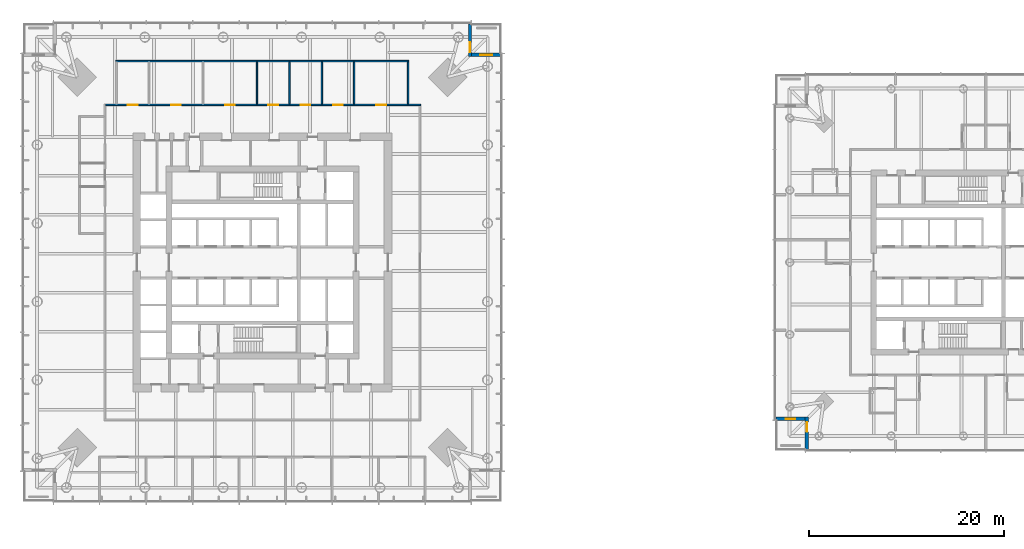
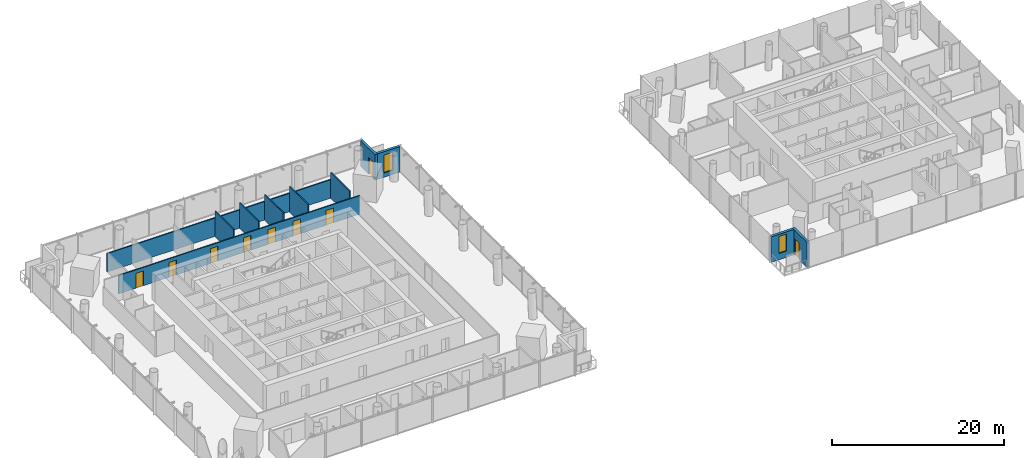
# One storey, part 13 of 21: 11 walls, 9 doors, 2 windows, 11 openings.
"""IFC4 building model written with IfcOpenShell, lengths in metres."""

from ifc_helpers import new_model, si_unit, direction, frame, frame_2d, origin, place, context, subcontext, project, spatial, rectangle, extrude, material, layer, layer_set, type_object, element, fill, save


model = new_model("IFC4")

# Units and contexts
model_context = context("Model", 3, precision=1e-05, world=origin(), true_north=direction((0.0, 1.0)))
body_context = subcontext(model_context, "Body", "Model", "MODEL_VIEW")
ifc_project = project(units=[si_unit("LENGTHUNIT", "METRE"), si_unit("AREAUNIT", "SQUARE_METRE"), si_unit("VOLUMEUNIT", "CUBIC_METRE"), si_unit("PLANEANGLEUNIT", "RADIAN"), si_unit("MASSUNIT", "GRAM", prefix="KILO")], contexts=[model_context])

# Site, building, storey
site_placement = place(None, origin())
site = spatial("IfcSite", under=ifc_project, at=site_placement, CompositionType="ELEMENT")
building_placement = place(site_placement, origin())
building = spatial("IfcBuilding", under=site, at=building_placement, Name="Ostroluk Exchange", CompositionType="ELEMENT")
storey_placement = place(building_placement, frame((0.0, 0.0, 47.60009765625)))
storey = spatial("IfcBuildingStorey", under=building, at=storey_placement, Name="L11", CompositionType="ELEMENT", Elevation=47.60009765625)

# Wall, opening, door
ifc_material_1 = material(Name="Limestone", Category="masonry")
ifc_layer_1 = layer(ifc_material_1, 0.35009765625)
ifc_layer_set_1 = layer_set([ifc_layer_1], Name="Limestone facade wall 350")
wall_type_1 = type_object("IfcWallType", Name="Limestone facade wall 350", PredefinedType="SOLIDWALL", material=ifc_layer_set_1)
wall_1_placement = place(storey_placement, frame((66.324951171875, 70.5, 0.0), z_axis=(0.0, 0.0, 1.0), x_axis=(0.0, -1.0, 0.0)))
wall_1 = element("IfcWall", 1, at=wall_1_placement, inside=storey, type_object=wall_type_1, Name="Office tower NE corner wall L11 a", PredefinedType="SOLIDWALL", context=body_context, shape_type="SweptSolid", body=[
    extrude(rectangle(XDim=3.35009765625, YDim=0.35009765625, at=frame_2d((1.675048828125, 0.0))), origin(), (0.0, 0.0, 1.0), 3.619873046875),
])
opening_1_placement = place(wall_1_placement, frame((1.89990234375, 0.0, 0.0)))
opening_1 = element("IfcOpeningElement", 2, at=opening_1_placement, cuts=wall_1, Name="Opening D-B1", PredefinedType="OPENING", context=body_context, shape_type="SweptSolid", body=[
    extrude(rectangle(XDim=1.0, YDim=2.39990234375, at=frame_2d((0.5, 1.199951171875))), frame((0.0, 0.18505859375, 0.0), z_axis=(0.0, -1.0, 0.0), x_axis=(1.0, 0.0, 0.0)), (0.0, 0.0, 1.0), 0.3701171875),
])
ifc_material_2 = material(Name="Bronze framed glazed door", Category="aluminium")
door_type_1 = type_object("IfcDoorType", Name="Balcony door 1000 x 2400", OperationType="SINGLE_SWING_LEFT", PredefinedType="DOOR", material=ifc_material_2)
door_1_placement = place(opening_1_placement, origin())
door_1 = element("IfcDoor", 3, at=door_1_placement, inside=storey, type_object=door_type_1, Name="Office tower NE balcony door L11", OperationType="SINGLE_SWING_RIGHT", OverallHeight=2.39990234375, OverallWidth=1.0, PredefinedType="DOOR", context=body_context, shape_type="SweptSolid", body=[
    extrude(rectangle(XDim=1.0, YDim=2.39990234375, at=frame_2d((0.5, 1.199951171875))), frame((0.0, 0.02490234375, 0.0), z_axis=(0.0, -1.0, 0.0), x_axis=(1.0, 0.0, 0.0)), (0.0, 0.0, 1.0), 0.050048828125),
])
fill(opening_1, door_1)

# Wall, opening, window
wall_2_placement = place(storey_placement, frame((66.5, 67.324951171875, 0.0), z_axis=(0.0, 0.0, 1.0), x_axis=(1.0, 0.0, 0.0)))
wall_2 = element("IfcWall", 4, at=wall_2_placement, inside=storey, type_object=wall_type_1, Name="Office tower NE corner wall L11 b", PredefinedType="SOLIDWALL", context=body_context, shape_type="SweptSolid", body=[
    extrude(rectangle(XDim=3.0, YDim=0.35009765625, at=frame_2d((1.5, 0.0))), origin(), (0.0, 0.0, 1.0), 3.619873046875),
])
opening_2_placement = place(wall_2_placement, frame((0.89990234375, 0.0, 0.60009765625)))
opening_2 = element("IfcOpeningElement", 5, at=opening_2_placement, cuts=wall_2, Name="Opening WN-L1", PredefinedType="OPENING", context=body_context, shape_type="SweptSolid", body=[
    extrude(rectangle(XDim=1.199951171875, YDim=2.550048828125, at=frame_2d((0.60009765625, 1.27490234375))), frame((0.0, 0.18505859375, 0.0), z_axis=(0.0, -1.0, 0.0), x_axis=(1.0, 0.0, 0.0)), (0.0, 0.0, 1.0), 0.3701171875),
])
ifc_material_3 = material(Name="Laminated clear glass", Category="glass")
window_type_1 = type_object("IfcWindowType", Name="Lancet window 1200 x 2550", PartitioningType="SINGLE_PANEL", PredefinedType="WINDOW", material=ifc_material_3)
window_1_placement = place(opening_2_placement, origin())
window_1 = element("IfcWindow", 6, at=window_1_placement, inside=storey, type_object=window_type_1, Name="Office tower NE lancet window L11", OverallHeight=2.550048828125, OverallWidth=1.199951171875, PartitioningType="SINGLE_PANEL", PredefinedType="WINDOW", context=body_context, shape_type="SweptSolid", body=[
    extrude(rectangle(XDim=1.199951171875, YDim=2.550048828125, at=frame_2d((0.60009765625, 1.27490234375))), frame((0.0, 0.030029296875, 0.0), z_axis=(0.0, -1.0, 0.0), x_axis=(1.0, 0.0, 0.0)), (0.0, 0.0, 1.0), 0.06005859375),
])
fill(opening_2, window_1)

# Wall, opening, door
wall_3_placement = place(storey_placement, frame((100.925048828125, 26.75, 0.0), z_axis=(0.0, 0.0, 1.0), x_axis=(0.0, 1.0, 0.0)))
wall_3 = element("IfcWall", 7, at=wall_3_placement, inside=storey, type_object=wall_type_1, Name="Hotel tower SW corner wall L11 a", PredefinedType="SOLIDWALL", context=body_context, shape_type="SweptSolid", body=[
    extrude(rectangle(XDim=3.35009765625, YDim=0.35009765625, at=frame_2d((1.675048828125, 0.0))), origin(), (0.0, 0.0, 1.0), 3.599853515625),
])
opening_3_placement = place(wall_3_placement, frame((1.85009765625, 0.0, 0.0)))
opening_3 = element("IfcOpeningElement", 8, at=opening_3_placement, cuts=wall_3, Name="Opening D-B1", PredefinedType="OPENING", context=body_context, shape_type="SweptSolid", body=[
    extrude(rectangle(XDim=1.0, YDim=2.39990234375, at=frame_2d((0.5, 1.199951171875))), frame((0.0, 0.18505859375, 0.0), z_axis=(0.0, -1.0, 0.0), x_axis=(1.0, 0.0, 0.0)), (0.0, 0.0, 1.0), 0.3701171875),
])
door_2_placement = place(opening_3_placement, origin())
door_2 = element("IfcDoor", 9, at=door_2_placement, inside=storey, type_object=door_type_1, Name="Hotel tower SW balcony door L11", OperationType="SINGLE_SWING_RIGHT", OverallHeight=2.39990234375, OverallWidth=1.0, PredefinedType="DOOR", context=body_context, shape_type="SweptSolid", body=[
    extrude(rectangle(XDim=1.0, YDim=2.39990234375, at=frame_2d((0.5, 1.199951171875))), frame((0.0, 0.02490234375, 0.0), z_axis=(0.0, -1.0, 0.0), x_axis=(1.0, 0.0, 0.0)), (0.0, 0.0, 1.0), 0.050048828125),
])
fill(opening_3, door_2)

# Wall, opening, window
wall_4_placement = place(storey_placement, frame((100.75, 29.925048828125, 0.0), z_axis=(0.0, 0.0, 1.0), x_axis=(-1.0, 0.0, 0.0)))
wall_4 = element("IfcWall", 10, at=wall_4_placement, inside=storey, type_object=wall_type_1, Name="Hotel tower SW corner wall L11 b", PredefinedType="SOLIDWALL", context=body_context, shape_type="SweptSolid", body=[
    extrude(rectangle(XDim=3.0, YDim=0.35009765625, at=frame_2d((1.5, 0.0))), origin(), (0.0, 0.0, 1.0), 3.599853515625),
])
opening_4_placement = place(wall_4_placement, frame((1.0, 0.0, 0.89990234375)))
opening_4 = element("IfcOpeningElement", 11, at=opening_4_placement, cuts=wall_4, Name="Opening WN-L3", PredefinedType="OPENING", context=body_context, shape_type="SweptSolid", body=[
    extrude(rectangle(XDim=1.0, YDim=2.39990234375, at=frame_2d((0.5, 1.199951171875))), frame((0.0, 0.18505859375, 0.0), z_axis=(0.0, -1.0, 0.0), x_axis=(1.0, 0.0, 0.0)), (0.0, 0.0, 1.0), 0.3701171875),
])
ifc_material_4 = material(Name="Laminated clear glass", Category="glass")
window_type_2 = type_object("IfcWindowType", Name="Hotel lancet window 1000 x 2400", PartitioningType="SINGLE_PANEL", PredefinedType="WINDOW", material=ifc_material_4)
window_2_placement = place(opening_4_placement, origin())
window_2 = element("IfcWindow", 12, at=window_2_placement, inside=storey, type_object=window_type_2, Name="Hotel tower SW lancet window L11", OverallHeight=2.39990234375, OverallWidth=1.0, PartitioningType="SINGLE_PANEL", PredefinedType="WINDOW", context=body_context, shape_type="SweptSolid", body=[
    extrude(rectangle(XDim=1.0, YDim=2.39990234375, at=frame_2d((0.5, 1.199951171875))), frame((0.0, 0.030029296875, 0.0), z_axis=(0.0, -1.0, 0.0), x_axis=(1.0, 0.0, 0.0)), (0.0, 0.0, 1.0), 0.06005859375),
])
fill(opening_4, window_2)

# Walls
ifc_material_5 = material(Name="Gypsum plasterboard partition", Category="gypsum")
ifc_layer_2 = layer(ifc_material_5, 0.14990234375)
ifc_layer_set_2 = layer_set([ifc_layer_2], Name="Plasterboard partition 150")
wall_type_2 = type_object("IfcWallType", Name="Plasterboard partition 150", PredefinedType="PARTITIONING", material=ifc_layer_set_2)
for number, where, z_axis, x_axis, name in (
    (13, (59.97509765625, 62.25, 0.0), (0.0, 0.0, 1.0), (0.0, 1.0, 0.0), "Partition"),
    (14, (54.4287109375, 62.25, 0.0), (0.0, 0.0, 1.0), (0.0, 1.0, 0.0), "Partition"),
    (15, (51.100830078125, 62.25, 0.0), (0.0, 0.0, 1.0), (0.0, 1.0, 0.0), "Partition"),
    (16, (47.773193359375, 62.25, 0.0), (0.0, 0.0, 1.0), (0.0, 1.0, 0.0), "Partition"),
    (17, (44.4453125, 62.25, 0.0), (0.0, 0.0, 1.0), (0.0, 1.0, 0.0), "Partition"),
):
    element("IfcWall", number, at=place(storey_placement, frame(where, z_axis=z_axis, x_axis=x_axis)), inside=storey, type_object=wall_type_2, Name=name, PredefinedType="PARTITIONING", context=body_context, shape_type="SweptSolid", body=[
        extrude(rectangle(XDim=4.35009765625, YDim=0.14990234375, at=frame_2d((2.175048828125, 0.0))), origin(), (0.0, 0.0, 1.0), 3.619873046875),
    ])
wall_5_placement = place(storey_placement, frame((60.050048828125, 66.675048828125, 0.0), z_axis=(0.0, 0.0, 1.0), x_axis=(-1.0, 0.0, 0.0)))
element("IfcWall", 18, at=wall_5_placement, inside=storey, type_object=wall_type_2, Name="Partition", PredefinedType="PARTITIONING", context=body_context, shape_type="SweptSolid", body=[
    extrude(rectangle(XDim=30.10009765625, YDim=0.14990234375, at=frame_2d((15.050048828125, 0.0))), origin(), (0.0, 0.0, 1.0), 2.61181640625),
])

# Wall, openings, doors
wall_6_placement = place(storey_placement, frame((61.25, 62.175048828125, 0.0), z_axis=(0.0, 0.0, 1.0), x_axis=(-1.0, 0.0, 0.0)))
wall_6 = element("IfcWall", 19, at=wall_6_placement, inside=storey, type_object=wall_type_2, Name="Corridor wall", PredefinedType="PARTITIONING", context=body_context, shape_type="SweptSolid", body=[
    extrude(rectangle(XDim=32.35009765625, YDim=0.14990234375, at=frame_2d((16.175048828125, 0.0))), origin(), (0.0, 0.0, 1.0), 2.61181640625),
])
opening_5_placement = place(wall_6_placement, frame((3.548095703125, 0.0, 0.0)))
opening_5 = element("IfcOpeningElement", 20, at=opening_5_placement, cuts=wall_6, Name="Opening D-03", PredefinedType="OPENING", context=body_context, shape_type="SweptSolid", body=[
    extrude(rectangle(XDim=1.0, YDim=2.10009765625, at=frame_2d((0.5, 1.050048828125))), frame((0.0, 0.0849609375, 0.0), z_axis=(0.0, -1.0, 0.0), x_axis=(1.0, 0.0, 0.0)), (0.0, 0.0, 1.0), 0.169921875),
])
opening_6_placement = place(wall_6_placement, frame((7.985107421875, 0.0, 0.0)))
opening_6 = element("IfcOpeningElement", 21, at=opening_6_placement, cuts=wall_6, Name="Opening D-03", PredefinedType="OPENING", context=body_context, shape_type="SweptSolid", body=[
    extrude(rectangle(XDim=1.0, YDim=2.10009765625, at=frame_2d((0.5, 1.050048828125))), frame((0.0, 0.0849609375, 0.0), z_axis=(0.0, -1.0, 0.0), x_axis=(1.0, 0.0, 0.0)), (0.0, 0.0, 1.0), 0.169921875),
])
opening_7_placement = place(wall_6_placement, frame((11.31298828125, 0.0, 0.0)))
opening_7 = element("IfcOpeningElement", 22, at=opening_7_placement, cuts=wall_6, Name="Opening D-03", PredefinedType="OPENING", context=body_context, shape_type="SweptSolid", body=[
    extrude(rectangle(XDim=1.0, YDim=2.10009765625, at=frame_2d((0.5, 1.050048828125))), frame((0.0, 0.0849609375, 0.0), z_axis=(0.0, -1.0, 0.0), x_axis=(1.0, 0.0, 0.0)), (0.0, 0.0, 1.0), 0.169921875),
])
opening_8_placement = place(wall_6_placement, frame((14.640625, 0.0, 0.0)))
opening_8 = element("IfcOpeningElement", 23, at=opening_8_placement, cuts=wall_6, Name="Opening D-03", PredefinedType="OPENING", context=body_context, shape_type="SweptSolid", body=[
    extrude(rectangle(XDim=1.0, YDim=2.10009765625, at=frame_2d((0.5, 1.050048828125))), frame((0.0, 0.0849609375, 0.0), z_axis=(0.0, -1.0, 0.0), x_axis=(1.0, 0.0, 0.0)), (0.0, 0.0, 1.0), 0.169921875),
])
opening_9_placement = place(wall_6_placement, frame((19.077880859375, 0.0, 0.0)))
opening_9 = element("IfcOpeningElement", 24, at=opening_9_placement, cuts=wall_6, Name="Opening D-03", PredefinedType="OPENING", context=body_context, shape_type="SweptSolid", body=[
    extrude(rectangle(XDim=1.0, YDim=2.10009765625, at=frame_2d((0.5, 1.050048828125))), frame((0.0, 0.0849609375, 0.0), z_axis=(0.0, -1.0, 0.0), x_axis=(1.0, 0.0, 0.0)), (0.0, 0.0, 1.0), 0.169921875),
])
opening_10_placement = place(wall_6_placement, frame((24.6240234375, 0.0, 0.0)))
opening_10 = element("IfcOpeningElement", 25, at=opening_10_placement, cuts=wall_6, Name="Opening D-03", PredefinedType="OPENING", context=body_context, shape_type="SweptSolid", body=[
    extrude(rectangle(XDim=1.0, YDim=2.10009765625, at=frame_2d((0.5, 1.050048828125))), frame((0.0, 0.0849609375, 0.0), z_axis=(0.0, -1.0, 0.0), x_axis=(1.0, 0.0, 0.0)), (0.0, 0.0, 1.0), 0.169921875),
])
opening_11_placement = place(wall_6_placement, frame((29.06103515625, 0.0, 0.0)))
opening_11 = element("IfcOpeningElement", 26, at=opening_11_placement, cuts=wall_6, Name="Opening D-03", PredefinedType="OPENING", context=body_context, shape_type="SweptSolid", body=[
    extrude(rectangle(XDim=1.0, YDim=2.10009765625, at=frame_2d((0.5, 1.050048828125))), frame((0.0, 0.0849609375, 0.0), z_axis=(0.0, -1.0, 0.0), x_axis=(1.0, 0.0, 0.0)), (0.0, 0.0, 1.0), 0.169921875),
])
ifc_material_6 = material(Name="Timber", Category="wood")
door_type_2 = type_object("IfcDoorType", Name="Internal door 1000 x 2100", OperationType="SINGLE_SWING_LEFT", PredefinedType="DOOR", material=ifc_material_6)
door_3_placement = place(opening_5_placement, origin())
door_3 = element("IfcDoor", 27, at=door_3_placement, inside=storey, type_object=door_type_2, Name="Meeting room door", OperationType="SINGLE_SWING_LEFT", OverallHeight=2.10009765625, OverallWidth=1.0, PredefinedType="DOOR", context=body_context, shape_type="SweptSolid", body=[
    extrude(rectangle(XDim=1.0, YDim=2.10009765625, at=frame_2d((0.5, 1.050048828125))), frame((0.0, 0.02490234375, 0.0), z_axis=(0.0, -1.0, 0.0), x_axis=(1.0, 0.0, 0.0)), (0.0, 0.0, 1.0), 0.050048828125),
])
fill(opening_5, door_3)
door_4_placement = place(opening_6_placement, origin())
door_4 = element("IfcDoor", 28, at=door_4_placement, inside=storey, type_object=door_type_2, Name="Focus room door", OperationType="SINGLE_SWING_LEFT", OverallHeight=2.10009765625, OverallWidth=1.0, PredefinedType="DOOR", context=body_context, shape_type="SweptSolid", body=[
    extrude(rectangle(XDim=1.0, YDim=2.10009765625, at=frame_2d((0.5, 1.050048828125))), frame((0.0, 0.02490234375, 0.0), z_axis=(0.0, -1.0, 0.0), x_axis=(1.0, 0.0, 0.0)), (0.0, 0.0, 1.0), 0.050048828125),
])
fill(opening_6, door_4)
door_5_placement = place(opening_7_placement, origin())
door_5 = element("IfcDoor", 29, at=door_5_placement, inside=storey, type_object=door_type_2, Name="Phone room door", OperationType="SINGLE_SWING_LEFT", OverallHeight=2.10009765625, OverallWidth=1.0, PredefinedType="DOOR", context=body_context, shape_type="SweptSolid", body=[
    extrude(rectangle(XDim=1.0, YDim=2.10009765625, at=frame_2d((0.5, 1.050048828125))), frame((0.0, 0.02490234375, 0.0), z_axis=(0.0, -1.0, 0.0), x_axis=(1.0, 0.0, 0.0)), (0.0, 0.0, 1.0), 0.050048828125),
])
fill(opening_7, door_5)
door_6_placement = place(opening_8_placement, origin())
door_6 = element("IfcDoor", 30, at=door_6_placement, inside=storey, type_object=door_type_2, Name="Focus room door", OperationType="SINGLE_SWING_LEFT", OverallHeight=2.10009765625, OverallWidth=1.0, PredefinedType="DOOR", context=body_context, shape_type="SweptSolid", body=[
    extrude(rectangle(XDim=1.0, YDim=2.10009765625, at=frame_2d((0.5, 1.050048828125))), frame((0.0, 0.02490234375, 0.0), z_axis=(0.0, -1.0, 0.0), x_axis=(1.0, 0.0, 0.0)), (0.0, 0.0, 1.0), 0.050048828125),
])
fill(opening_8, door_6)
door_7_placement = place(opening_9_placement, origin())
door_7 = element("IfcDoor", 31, at=door_7_placement, inside=storey, type_object=door_type_2, Name="Meeting room door", OperationType="SINGLE_SWING_RIGHT", OverallHeight=2.10009765625, OverallWidth=1.0, PredefinedType="DOOR", context=body_context, shape_type="SweptSolid", body=[
    extrude(rectangle(XDim=1.0, YDim=2.10009765625, at=frame_2d((0.5, 1.050048828125))), frame((0.0, 0.02490234375, 0.0), z_axis=(0.0, -1.0, 0.0), x_axis=(1.0, 0.0, 0.0)), (0.0, 0.0, 1.0), 0.050048828125),
])
fill(opening_9, door_7)
door_8_placement = place(opening_10_placement, origin())
door_8 = element("IfcDoor", 32, at=door_8_placement, inside=storey, type_object=door_type_2, Name="Pantry door", OperationType="SINGLE_SWING_RIGHT", OverallHeight=2.10009765625, OverallWidth=1.0, PredefinedType="DOOR", context=body_context, shape_type="SweptSolid", body=[
    extrude(rectangle(XDim=1.0, YDim=2.10009765625, at=frame_2d((0.5, 1.050048828125))), frame((0.0, 0.02490234375, 0.0), z_axis=(0.0, -1.0, 0.0), x_axis=(1.0, 0.0, 0.0)), (0.0, 0.0, 1.0), 0.050048828125),
])
fill(opening_10, door_8)
door_9_placement = place(opening_11_placement, origin())
door_9 = element("IfcDoor", 33, at=door_9_placement, inside=storey, type_object=door_type_2, Name="Print and store room door", OperationType="SINGLE_SWING_RIGHT", OverallHeight=2.10009765625, OverallWidth=1.0, PredefinedType="DOOR", context=body_context, shape_type="SweptSolid", body=[
    extrude(rectangle(XDim=1.0, YDim=2.10009765625, at=frame_2d((0.5, 1.050048828125))), frame((0.0, 0.02490234375, 0.0), z_axis=(0.0, -1.0, 0.0), x_axis=(1.0, 0.0, 0.0)), (0.0, 0.0, 1.0), 0.050048828125),
])
fill(opening_11, door_9)

save(model, "model.ifc")
